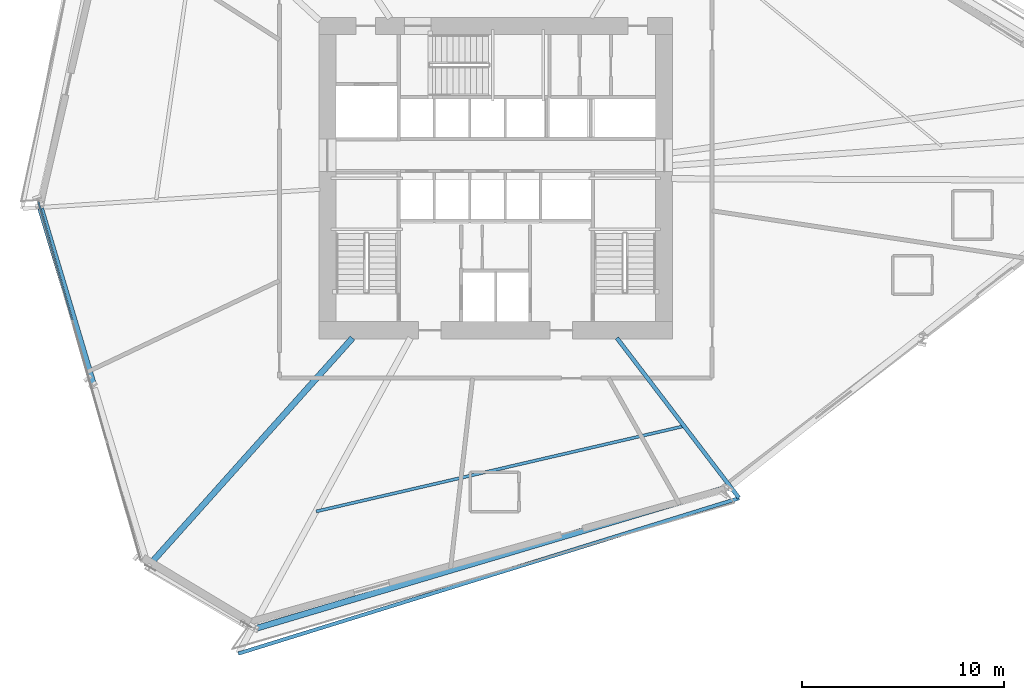
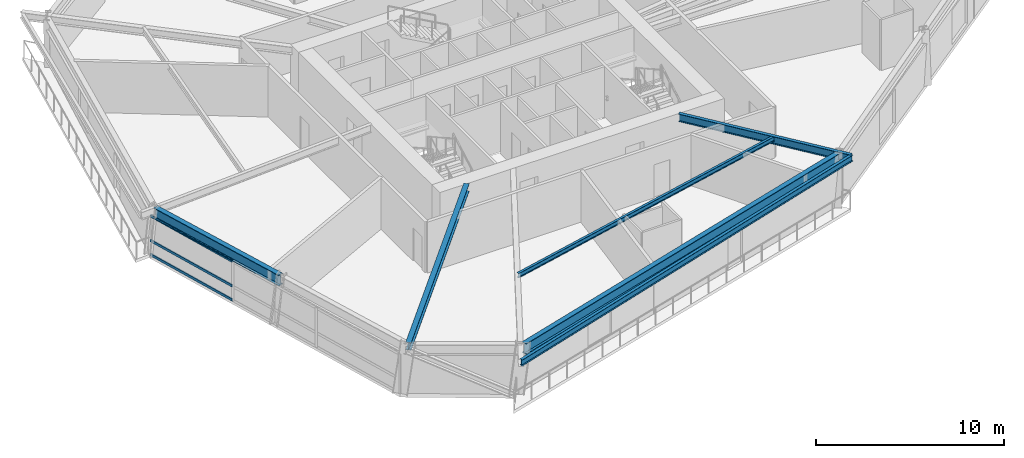
# One storey, part 5 of 21: 6 beams, 3 members, 1 element without a shape of its own.
"""IFC4 building model written with IfcOpenShell, lengths in metres."""

from ifc_helpers import new_model, si_unit, direction, frame, origin, origin_2d, place, context, subcontext, project, spatial, hollow_rectangle, i_section, extrude, source, transform, mapped, material, material_profile, profile_set, type_object, element, aggregate, save


model = new_model("IFC4")

# Units and contexts
model_context = context("Model", 3, precision=1e-05, world=origin(), true_north=direction((0.0, 1.0)))
body_context = subcontext(model_context, "Body", "Model", "MODEL_VIEW")
ifc_project = project(units=[si_unit("LENGTHUNIT", "METRE"), si_unit("AREAUNIT", "SQUARE_METRE"), si_unit("VOLUMEUNIT", "CUBIC_METRE"), si_unit("PLANEANGLEUNIT", "RADIAN"), si_unit("MASSUNIT", "GRAM", prefix="KILO")], contexts=[model_context])

# Site, building, storey
site_placement = place(None, origin())
site = spatial("IfcSite", under=ifc_project, at=site_placement, CompositionType="ELEMENT")
building_placement = place(site_placement, origin())
building = spatial("IfcBuilding", under=site, at=building_placement, Name="Olszyna Solenne Hotel", CompositionType="ELEMENT")
storey_placement = place(building_placement, frame((0.0, 0.0, 47.050048828125)))
storey = spatial("IfcBuildingStorey", under=building, at=storey_placement, Name="L11", CompositionType="ELEMENT", Elevation=47.050048828125)

# Beams
ifc_material_1 = material(Name="Steel S355J2", Category="steel")
ifc_material_profile_1 = material_profile(ifc_material_1, i_section(OverallWidth=0.300048828125, OverallDepth=0.699951171875, WebThickness=0.01708984375, FlangeThickness=0.031982421875, at=origin_2d()), Name="HEB 700", Category="load-bearing")
ifc_profile_set_1 = profile_set([ifc_material_profile_1], Name="Steel S355J2")
beam_type_1 = type_object("IfcBeamType", Name="BM-S1", PredefinedType="BEAM", material=ifc_profile_set_1)
shared_shape_1 = source(origin(), body_context, "Body", "SweptSolid", [
    extrude(i_section(OverallWidth=0.300048828125, OverallDepth=0.699951171875, WebThickness=0.01708984375, FlangeThickness=0.031982421875, at=origin_2d()), origin(), (0.0, 0.0, 1.0), 9.152099609375),
])
beam_1_placement = place(storey_placement, frame((15.489990234375, 25.093017578125, 2.949951171875), z_axis=(0.28745801296, -0.957793240102, 0.0), x_axis=(0.957793240102, 0.28745801296, 0.0)))
element("IfcBeam", 1, at=beam_1_placement, inside=storey, type_object=beam_type_1, Name="Perimeter spandrel beam BM-S1 B-L11-0353", PredefinedType="BEAM", context=body_context, shape_type="MappedRepresentation", body=[
    mapped(shared_shape_1, transform((0.0, 0.0, 0.0), x_axis=(1.0, 0.0, 0.0), y_axis=(0.0, 1.0, 0.0), z_axis=(0.0, 0.0, 1.0), scale=1.0)),
])
shared_shape_2 = source(origin(), body_context, "Body", "SweptSolid", [
    extrude(i_section(OverallWidth=0.300048828125, OverallDepth=0.699951171875, WebThickness=0.01708984375, FlangeThickness=0.031982421875, at=origin_2d()), origin(), (0.0, 0.0, 1.0), 24.366943359375),
])
beam_2_placement = place(storey_placement, frame((26.166259765625, 4.33056640625, 2.949951171875), z_axis=(0.958184577326, 0.286150861915, 0.0), x_axis=(-0.286150861915, 0.958184577326, 0.0)))
element("IfcBeam", 2, at=beam_2_placement, inside=storey, type_object=beam_type_1, Name="Perimeter spandrel beam BM-S1 B-L11-0356", PredefinedType="BEAM", context=body_context, shape_type="MappedRepresentation", body=[
    mapped(shared_shape_2, transform((0.0, 0.0, 0.0), x_axis=(1.0, 0.0, 0.0), y_axis=(0.0, 1.0, 0.0), z_axis=(0.0, 0.0, 1.0), scale=1.0)),
])
ifc_material_profile_2 = material_profile(ifc_material_1, i_section(OverallWidth=0.300048828125, OverallDepth=0.489990234375, WebThickness=0.011962890625, FlangeThickness=0.02294921875, at=origin_2d()), Name="HEA 500", Category="load-bearing")
ifc_profile_set_2 = profile_set([ifc_material_profile_2], Name="Steel S355J2")
beam_type_2 = type_object("IfcBeamType", Name="BM-G1", PredefinedType="BEAM", material=ifc_profile_set_2)
shared_shape_3 = source(origin(), body_context, "Body", "SweptSolid", [
    extrude(i_section(OverallWidth=0.300048828125, OverallDepth=0.489990234375, WebThickness=0.011962890625, FlangeThickness=0.02294921875, at=origin_2d()), origin(), (0.0, 0.0, 1.0), 15.103759765625),
])
beam_3_placement = place(storey_placement, frame((20.843505859375, 7.433349609375, 3.054931640625), z_axis=(0.666949349628, 0.745103056651, 0.0), x_axis=(-0.745103056651, 0.666949349628, 0.0)))
element("IfcBeam", 3, at=beam_3_placement, inside=storey, type_object=beam_type_2, Name="Radial floor girder BM-G1 B-L11-0365", PredefinedType="BEAM", context=body_context, shape_type="MappedRepresentation", body=[
    mapped(shared_shape_3, transform((0.0, 0.0, 0.0), x_axis=(1.0, 0.0, 0.0), y_axis=(0.0, 1.0, 0.0), z_axis=(0.0, 0.0, 1.0), scale=1.0)),
])
ifc_material_profile_3 = material_profile(ifc_material_1, i_section(OverallWidth=0.199951171875, OverallDepth=0.5, WebThickness=0.01025390625, FlangeThickness=0.01611328125, at=origin_2d()), Name="IPE 500", Category="load-bearing")
ifc_profile_set_3 = profile_set([ifc_material_profile_3], Name="Steel S355J2")
beam_type_3 = type_object("IfcBeamType", Name="BM-F3", PredefinedType="BEAM", material=ifc_profile_set_3)
shared_shape_4 = source(origin(), body_context, "Body", "SweptSolid", [
    extrude(i_section(OverallWidth=0.199951171875, OverallDepth=0.5, WebThickness=0.01025390625, FlangeThickness=0.01611328125, at=origin_2d()), origin(), (0.0, 0.0, 1.0), 9.949462890625),
])
beam_4_placement = place(storey_placement, frame((50.028076171875, 10.781494140625, 3.050048828125), z_axis=(-0.606797773307, 0.794856252608, 0.0), x_axis=(-0.794856252608, -0.606797773307, 0.0)))
element("IfcBeam", 4, at=beam_4_placement, inside=storey, type_object=beam_type_3, Name="Radial floor girder BM-F3 B-L11-0367", PredefinedType="BEAM", context=body_context, shape_type="MappedRepresentation", body=[
    mapped(shared_shape_4, transform((0.0, 0.0, 0.0), x_axis=(1.0, 0.0, 0.0), y_axis=(0.0, 1.0, 0.0), z_axis=(0.0, 0.0, 1.0), scale=1.0)),
])
ifc_material_profile_4 = material_profile(ifc_material_1, i_section(OverallWidth=0.14990234375, OverallDepth=0.300048828125, WebThickness=0.007080078125, FlangeThickness=0.0107421875, at=origin_2d()), Name="IPE 300", Category="load-bearing")
ifc_profile_set_4 = profile_set([ifc_material_profile_4], Name="Steel S355J2")
beam_type_4 = type_object("IfcBeamType", Name="JS-02", PredefinedType="JOIST", material=ifc_profile_set_4)
shared_shape_5 = source(origin(), body_context, "Body", "SweptSolid", [
    extrude(i_section(OverallWidth=0.14990234375, OverallDepth=0.300048828125, WebThickness=0.007080078125, FlangeThickness=0.0107421875, at=origin_2d()), origin(), (0.0, 0.0, 1.0), 18.662109375),
])
beam_5_placement = place(storey_placement, frame((29.118896484375, 10.1103515625, 3.14990234375), z_axis=(0.974137681956, 0.225955253519, 0.0), x_axis=(-0.225955253519, 0.974137681956, 0.0)))
element("IfcBeam", 5, at=beam_5_placement, inside=storey, type_object=beam_type_4, Name="Secondary composite floor joist JS-02 B-L11-0373", PredefinedType="JOIST", context=body_context, shape_type="MappedRepresentation", body=[
    mapped(shared_shape_5, transform((0.0, 0.0, 0.0), x_axis=(1.0, 0.0, 0.0), y_axis=(0.0, 1.0, 0.0), z_axis=(0.0, 0.0, 1.0), scale=1.0)),
])
ifc_material_profile_5 = material_profile(ifc_material_1, i_section(OverallWidth=0.179931640625, OverallDepth=0.39990234375, WebThickness=0.008544921875, FlangeThickness=0.013427734375, at=origin_2d()), Name="IPE 400", Category="load-bearing")
ifc_profile_set_5 = profile_set([ifc_material_profile_5], Name="Steel S355J2")
beam_type_5 = type_object("IfcBeamType", Name="BM-F5", PredefinedType="BEAM", material=ifc_profile_set_5)
shared_shape_6 = source(origin(), body_context, "Body", "SweptSolid", [
    extrude(i_section(OverallWidth=0.179931640625, OverallDepth=0.39990234375, WebThickness=0.008544921875, FlangeThickness=0.013427734375, at=origin_2d()), origin(), (0.0, 0.0, 1.0), 25.9365234375),
])
beam_6_placement = place(storey_placement, frame((25.2685546875, 3.0791015625, 3.099853515625), z_axis=(0.955076999616, 0.296357764881, 0.0), x_axis=(-0.296357764881, 0.955076999616, 0.0)))
element("IfcBeam", 6, at=beam_6_placement, inside=storey, type_object=beam_type_5, Name="Loggia outer edge beam BM-F5 B-L11-0376", PredefinedType="BEAM", context=body_context, shape_type="MappedRepresentation", body=[
    mapped(shared_shape_6, transform((0.0, 0.0, 0.0), x_axis=(1.0, 0.0, 0.0), y_axis=(0.0, 1.0, 0.0), z_axis=(0.0, 0.0, 1.0), scale=1.0)),
])

# Curtain wall, members
ifc_material_2 = material(Name="Anodised bronze aluminium", Category="aluminium")
curtain_wall_type = type_object("IfcCurtainWallType", Name="CW-SYS-2", PredefinedType="NOTDEFINED", material=ifc_material_2)
curtain_wall_placement = place(storey_placement, origin())
curtain_wall = element("IfcCurtainWall", 7, at=curtain_wall_placement, inside=storey, type_object=curtain_wall_type, Name="Unitised curtain wall CW-SYS-2 CW-L11-01", PredefinedType="NOTDEFINED")
ifc_material_profile_6 = material_profile(ifc_material_2, hollow_rectangle(XDim=0.074951171875, YDim=0.159912109375, WallThickness=0.00390625, at=origin_2d()), Name="TRAN 160x75x4", Category="load-bearing")
ifc_profile_set_6 = profile_set([ifc_material_profile_6], Name="Anodised bronze aluminium")
member_type = type_object("IfcMemberType", Name="CW-T1", PredefinedType="USERDEFINED", material=ifc_profile_set_6)
shared_shape_7 = source(origin(), body_context, "Body", "SweptSolid", [
    extrude(hollow_rectangle(XDim=0.074951171875, YDim=0.159912109375, WallThickness=0.00390625, at=origin_2d()), origin(), (0.0, 0.0, 1.0), 6.07666015625),
])
member_1_placement = place(storey_placement, frame((15.37890625, 25.428955078125, 0.037353515625), z_axis=(0.274768884843, -0.961510301516, 0.0), x_axis=(0.961510301516, 0.274768884843, 0.0)))
member_1 = element("IfcMember", 8, at=member_1_placement, type_object=member_type, Name="Curtain-wall transom CW-T1 CT-L11-01-01", ObjectType="TRANSOM", PredefinedType="USERDEFINED", context=body_context, shape_type="MappedRepresentation", body=[
    mapped(shared_shape_7, transform((0.0, 0.0, 0.0), x_axis=(1.0, 0.0, 0.0), y_axis=(0.0, 1.0, 0.0), z_axis=(0.0, 0.0, 1.0), scale=1.0)),
])
member_2_placement = place(storey_placement, frame((15.37890625, 25.428955078125, 0.949951171875), z_axis=(0.274768884843, -0.961510301516, 0.0), x_axis=(0.961510301516, 0.274768884843, 0.0)))
member_2 = element("IfcMember", 9, at=member_2_placement, type_object=member_type, Name="Curtain-wall transom CW-T1 CT-L11-01-02", ObjectType="TRANSOM", PredefinedType="USERDEFINED", context=body_context, shape_type="MappedRepresentation", body=[
    mapped(shared_shape_7, transform((0.0, 0.0, 0.0), x_axis=(1.0, 0.0, 0.0), y_axis=(0.0, 1.0, 0.0), z_axis=(0.0, 0.0, 1.0), scale=1.0)),
])
member_3_placement = place(storey_placement, frame((15.37890625, 25.428955078125, 2.554443359375), z_axis=(0.274768884843, -0.961510301516, 0.0), x_axis=(0.961510301516, 0.274768884843, 0.0)))
member_3 = element("IfcMember", 10, at=member_3_placement, type_object=member_type, Name="Curtain-wall transom CW-T1 CT-L11-01-03", ObjectType="TRANSOM", PredefinedType="USERDEFINED", context=body_context, shape_type="MappedRepresentation", body=[
    mapped(shared_shape_7, transform((0.0, 0.0, 0.0), x_axis=(1.0, 0.0, 0.0), y_axis=(0.0, 1.0, 0.0), z_axis=(0.0, 0.0, 1.0), scale=1.0)),
])
aggregate(curtain_wall, [member_1, member_2, member_3])

save(model, "model.ifc")
